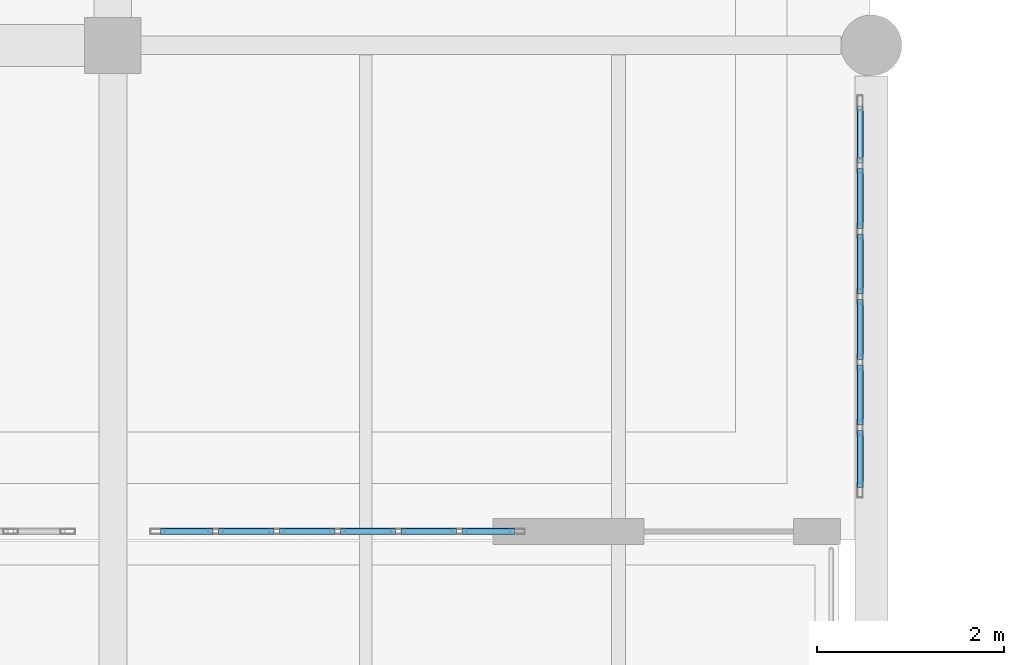
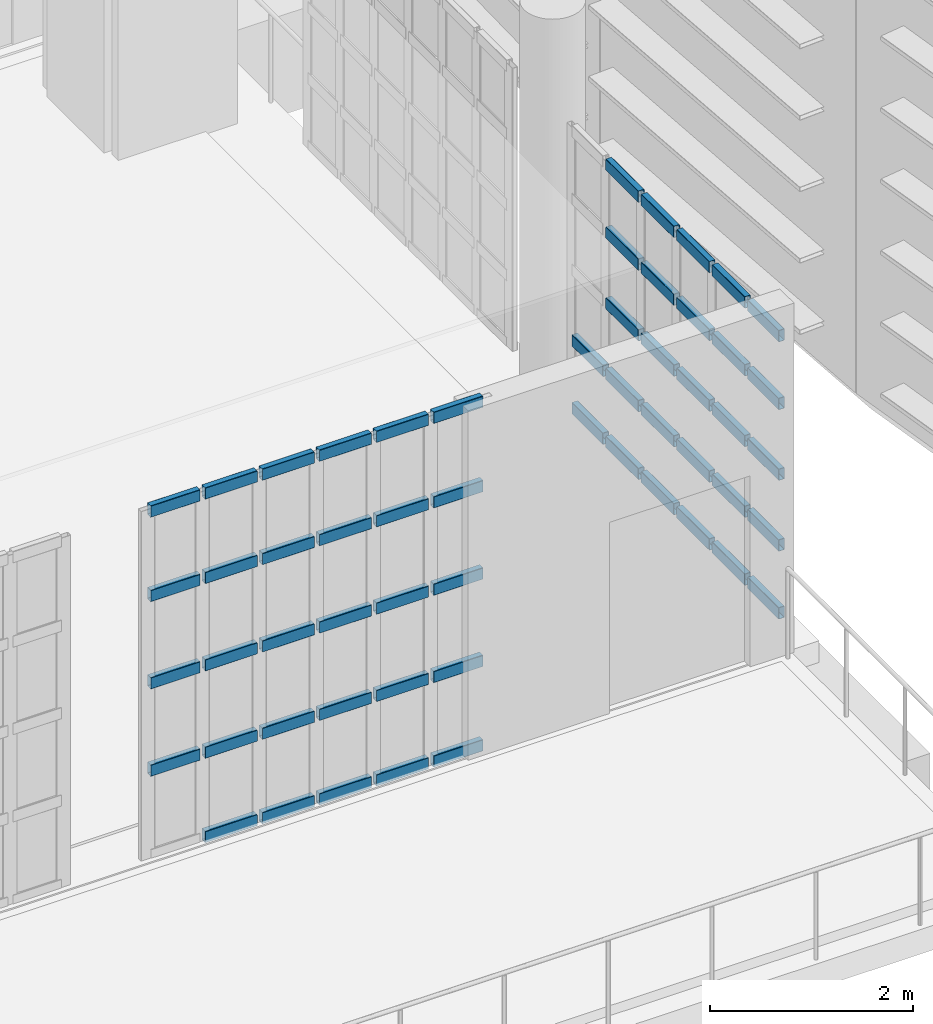
# One storey, part 36 of 73: 56 members, 2 elements without a shape of their own.
"""IFC4 building model written with IfcOpenShell, lengths in metres."""

from ifc_helpers import new_model, si_unit, direction, frame, origin, origin_2d, place, context, subcontext, project, spatial, hollow_rectangle, extrude, material, material_profile, profile_set, type_object, element, aggregate, save


model = new_model("IFC4")

# Units and contexts
model_context = context("Model", 3, precision=1e-05, world=origin(), true_north=direction((0.0, 1.0)))
body_context = subcontext(model_context, "Body", "Model", "MODEL_VIEW")
ifc_project = project(units=[si_unit("LENGTHUNIT", "METRE"), si_unit("AREAUNIT", "SQUARE_METRE"), si_unit("VOLUMEUNIT", "CUBIC_METRE"), si_unit("PLANEANGLEUNIT", "RADIAN"), si_unit("MASSUNIT", "GRAM", prefix="KILO")], contexts=[model_context])

# Site, building, storey
site_placement = place(None, origin())
site = spatial("IfcSite", under=ifc_project, at=site_placement, CompositionType="ELEMENT")
building_placement = place(site_placement, origin())
building = spatial("IfcBuilding", under=site, at=building_placement, Name="Kaelora Sail Theatre", CompositionType="ELEMENT")
storey_placement = place(building_placement, frame((0.0, 0.0, 10.199951171875)))
storey = spatial("IfcBuildingStorey", under=building, at=storey_placement, Name="L02", CompositionType="ELEMENT", Elevation=10.199951171875)

# Curtain wall, members
ifc_material_1 = material(Name="Anodised aluminium and solar-control low-E IGU", Category="aluminium")
curtain_wall_type = type_object("IfcCurtainWallType", Name="ARC-CW-CW-BRG", PredefinedType="NOTDEFINED", material=ifc_material_1)
curtain_wall_1_placement = place(storey_placement, origin())
curtain_wall_1 = element("IfcCurtainWall", 1, at=curtain_wall_1_placement, inside=storey, type_object=curtain_wall_type, Name="West Interstitial Sail Foyer Curtain Wall L02-03", PredefinedType="NOTDEFINED")
ifc_material_2 = material(Name="Anodised aluminium 6063-T6", Category="aluminium")
ifc_material_profile = material_profile(ifc_material_2, hollow_rectangle(XDim=0.070068359375, YDim=0.139892578125, WallThickness=0.00390625, InnerFilletRadius=0.00390625, OuterFilletRadius=0.008056640625, at=origin_2d()), Name="ALU-TRAN 70x140x4")
ifc_profile_set = profile_set([ifc_material_profile], Name="Anodised aluminium 6063-T6")
member_type = type_object("IfcMemberType", Name="ARC-MEM-TR-140", PredefinedType="USERDEFINED", material=ifc_profile_set)
member_1_placement = place(storey_placement, frame((66.81005859375, 48.389892578125, 1.05126953125), z_axis=(1.0, 0.0, 0.0), x_axis=(0.0, 1.0, 0.0)))
member_1 = element("IfcMember", 2, at=member_1_placement, type_object=member_type, Name="CW-BRG transom 1.2", ObjectType="TRANSOM", PredefinedType="USERDEFINED", context=body_context, shape_type="SweptSolid", body=[
    extrude(hollow_rectangle(XDim=0.070068359375, YDim=0.139892578125, WallThickness=0.00390625, InnerFilletRadius=0.00390625, OuterFilletRadius=0.008056640625, at=origin_2d()), origin(), (0.0, 0.0, 1.0), 0.56005859375),
])
member_2_placement = place(storey_placement, frame((66.81005859375, 48.389892578125, 2.1025390625), z_axis=(1.0, 0.0, 0.0), x_axis=(0.0, 1.0, 0.0)))
member_2 = element("IfcMember", 3, at=member_2_placement, type_object=member_type, Name="CW-BRG transom 1.3", ObjectType="TRANSOM", PredefinedType="USERDEFINED", context=body_context, shape_type="SweptSolid", body=[
    extrude(hollow_rectangle(XDim=0.070068359375, YDim=0.139892578125, WallThickness=0.00390625, InnerFilletRadius=0.00390625, OuterFilletRadius=0.008056640625, at=origin_2d()), origin(), (0.0, 0.0, 1.0), 0.56005859375),
])
member_3_placement = place(storey_placement, frame((66.81005859375, 48.389892578125, 3.15380859375), z_axis=(1.0, 0.0, 0.0), x_axis=(0.0, 1.0, 0.0)))
member_3 = element("IfcMember", 4, at=member_3_placement, type_object=member_type, Name="CW-BRG transom 1.4", ObjectType="TRANSOM", PredefinedType="USERDEFINED", context=body_context, shape_type="SweptSolid", body=[
    extrude(hollow_rectangle(XDim=0.070068359375, YDim=0.139892578125, WallThickness=0.00390625, InnerFilletRadius=0.00390625, OuterFilletRadius=0.008056640625, at=origin_2d()), origin(), (0.0, 0.0, 1.0), 0.56005859375),
])
member_4_placement = place(storey_placement, frame((66.81005859375, 48.389892578125, 4.170166015625), z_axis=(1.0, 0.0, 0.0), x_axis=(0.0, 1.0, 0.0)))
member_4 = element("IfcMember", 5, at=member_4_placement, type_object=member_type, Name="CW-BRG transom 1.5", ObjectType="TRANSOM", PredefinedType="USERDEFINED", context=body_context, shape_type="SweptSolid", body=[
    extrude(hollow_rectangle(XDim=0.070068359375, YDim=0.139892578125, WallThickness=0.00390625, InnerFilletRadius=0.00390625, OuterFilletRadius=0.008056640625, at=origin_2d()), origin(), (0.0, 0.0, 1.0), 0.56005859375),
])
member_5_placement = place(storey_placement, frame((67.429931640625, 48.389892578125, 0.03515625), z_axis=(1.0, 0.0, 0.0), x_axis=(0.0, 1.0, 0.0)))
member_5 = element("IfcMember", 6, at=member_5_placement, type_object=member_type, Name="CW-BRG transom 2.1", ObjectType="TRANSOM", PredefinedType="USERDEFINED", context=body_context, shape_type="SweptSolid", body=[
    extrude(hollow_rectangle(XDim=0.070068359375, YDim=0.139892578125, WallThickness=0.00390625, InnerFilletRadius=0.00390625, OuterFilletRadius=0.008056640625, at=origin_2d()), origin(), (0.0, 0.0, 1.0), 0.590087890625),
])
member_6_placement = place(storey_placement, frame((67.429931640625, 48.389892578125, 1.05126953125), z_axis=(1.0, 0.0, 0.0), x_axis=(0.0, 1.0, 0.0)))
member_6 = element("IfcMember", 7, at=member_6_placement, type_object=member_type, Name="CW-BRG transom 2.2", ObjectType="TRANSOM", PredefinedType="USERDEFINED", context=body_context, shape_type="SweptSolid", body=[
    extrude(hollow_rectangle(XDim=0.070068359375, YDim=0.139892578125, WallThickness=0.00390625, InnerFilletRadius=0.00390625, OuterFilletRadius=0.008056640625, at=origin_2d()), origin(), (0.0, 0.0, 1.0), 0.590087890625),
])
member_7_placement = place(storey_placement, frame((67.429931640625, 48.389892578125, 2.1025390625), z_axis=(1.0, 0.0, 0.0), x_axis=(0.0, 1.0, 0.0)))
member_7 = element("IfcMember", 8, at=member_7_placement, type_object=member_type, Name="CW-BRG transom 2.3", ObjectType="TRANSOM", PredefinedType="USERDEFINED", context=body_context, shape_type="SweptSolid", body=[
    extrude(hollow_rectangle(XDim=0.070068359375, YDim=0.139892578125, WallThickness=0.00390625, InnerFilletRadius=0.00390625, OuterFilletRadius=0.008056640625, at=origin_2d()), origin(), (0.0, 0.0, 1.0), 0.590087890625),
])
member_8_placement = place(storey_placement, frame((67.429931640625, 48.389892578125, 3.15380859375), z_axis=(1.0, 0.0, 0.0), x_axis=(0.0, 1.0, 0.0)))
member_8 = element("IfcMember", 9, at=member_8_placement, type_object=member_type, Name="CW-BRG transom 2.4", ObjectType="TRANSOM", PredefinedType="USERDEFINED", context=body_context, shape_type="SweptSolid", body=[
    extrude(hollow_rectangle(XDim=0.070068359375, YDim=0.139892578125, WallThickness=0.00390625, InnerFilletRadius=0.00390625, OuterFilletRadius=0.008056640625, at=origin_2d()), origin(), (0.0, 0.0, 1.0), 0.590087890625),
])
member_9_placement = place(storey_placement, frame((67.429931640625, 48.389892578125, 4.170166015625), z_axis=(1.0, 0.0, 0.0), x_axis=(0.0, 1.0, 0.0)))
member_9 = element("IfcMember", 10, at=member_9_placement, type_object=member_type, Name="CW-BRG transom 2.5", ObjectType="TRANSOM", PredefinedType="USERDEFINED", context=body_context, shape_type="SweptSolid", body=[
    extrude(hollow_rectangle(XDim=0.070068359375, YDim=0.139892578125, WallThickness=0.00390625, InnerFilletRadius=0.00390625, OuterFilletRadius=0.008056640625, at=origin_2d()), origin(), (0.0, 0.0, 1.0), 0.590087890625),
])
member_10_placement = place(storey_placement, frame((68.080078125, 48.389892578125, 0.03515625), z_axis=(1.0, 0.0, 0.0), x_axis=(0.0, 1.0, 0.0)))
member_10 = element("IfcMember", 11, at=member_10_placement, type_object=member_type, Name="CW-BRG transom 3.1", ObjectType="TRANSOM", PredefinedType="USERDEFINED", context=body_context, shape_type="SweptSolid", body=[
    extrude(hollow_rectangle(XDim=0.070068359375, YDim=0.139892578125, WallThickness=0.00390625, InnerFilletRadius=0.00390625, OuterFilletRadius=0.008056640625, at=origin_2d()), origin(), (0.0, 0.0, 1.0), 0.58984375),
])
member_11_placement = place(storey_placement, frame((68.080078125, 48.389892578125, 1.05126953125), z_axis=(1.0, 0.0, 0.0), x_axis=(0.0, 1.0, 0.0)))
member_11 = element("IfcMember", 12, at=member_11_placement, type_object=member_type, Name="CW-BRG transom 3.2", ObjectType="TRANSOM", PredefinedType="USERDEFINED", context=body_context, shape_type="SweptSolid", body=[
    extrude(hollow_rectangle(XDim=0.070068359375, YDim=0.139892578125, WallThickness=0.00390625, InnerFilletRadius=0.00390625, OuterFilletRadius=0.008056640625, at=origin_2d()), origin(), (0.0, 0.0, 1.0), 0.58984375),
])
member_12_placement = place(storey_placement, frame((68.080078125, 48.389892578125, 2.1025390625), z_axis=(1.0, 0.0, 0.0), x_axis=(0.0, 1.0, 0.0)))
member_12 = element("IfcMember", 13, at=member_12_placement, type_object=member_type, Name="CW-BRG transom 3.3", ObjectType="TRANSOM", PredefinedType="USERDEFINED", context=body_context, shape_type="SweptSolid", body=[
    extrude(hollow_rectangle(XDim=0.070068359375, YDim=0.139892578125, WallThickness=0.00390625, InnerFilletRadius=0.00390625, OuterFilletRadius=0.008056640625, at=origin_2d()), origin(), (0.0, 0.0, 1.0), 0.58984375),
])
member_13_placement = place(storey_placement, frame((68.080078125, 48.389892578125, 3.15380859375), z_axis=(1.0, 0.0, 0.0), x_axis=(0.0, 1.0, 0.0)))
member_13 = element("IfcMember", 14, at=member_13_placement, type_object=member_type, Name="CW-BRG transom 3.4", ObjectType="TRANSOM", PredefinedType="USERDEFINED", context=body_context, shape_type="SweptSolid", body=[
    extrude(hollow_rectangle(XDim=0.070068359375, YDim=0.139892578125, WallThickness=0.00390625, InnerFilletRadius=0.00390625, OuterFilletRadius=0.008056640625, at=origin_2d()), origin(), (0.0, 0.0, 1.0), 0.58984375),
])
member_14_placement = place(storey_placement, frame((68.080078125, 48.389892578125, 4.170166015625), z_axis=(1.0, 0.0, 0.0), x_axis=(0.0, 1.0, 0.0)))
member_14 = element("IfcMember", 15, at=member_14_placement, type_object=member_type, Name="CW-BRG transom 3.5", ObjectType="TRANSOM", PredefinedType="USERDEFINED", context=body_context, shape_type="SweptSolid", body=[
    extrude(hollow_rectangle(XDim=0.070068359375, YDim=0.139892578125, WallThickness=0.00390625, InnerFilletRadius=0.00390625, OuterFilletRadius=0.008056640625, at=origin_2d()), origin(), (0.0, 0.0, 1.0), 0.58984375),
])
member_15_placement = place(storey_placement, frame((68.72998046875, 48.389892578125, 0.03515625), z_axis=(1.0, 0.0, 0.0), x_axis=(0.0, 1.0, 0.0)))
member_15 = element("IfcMember", 16, at=member_15_placement, type_object=member_type, Name="CW-BRG transom 4.1", ObjectType="TRANSOM", PredefinedType="USERDEFINED", context=body_context, shape_type="SweptSolid", body=[
    extrude(hollow_rectangle(XDim=0.070068359375, YDim=0.139892578125, WallThickness=0.00390625, InnerFilletRadius=0.00390625, OuterFilletRadius=0.008056640625, at=origin_2d()), origin(), (0.0, 0.0, 1.0), 0.590087890625),
])
member_16_placement = place(storey_placement, frame((68.72998046875, 48.389892578125, 1.05126953125), z_axis=(1.0, 0.0, 0.0), x_axis=(0.0, 1.0, 0.0)))
member_16 = element("IfcMember", 17, at=member_16_placement, type_object=member_type, Name="CW-BRG transom 4.2", ObjectType="TRANSOM", PredefinedType="USERDEFINED", context=body_context, shape_type="SweptSolid", body=[
    extrude(hollow_rectangle(XDim=0.070068359375, YDim=0.139892578125, WallThickness=0.00390625, InnerFilletRadius=0.00390625, OuterFilletRadius=0.008056640625, at=origin_2d()), origin(), (0.0, 0.0, 1.0), 0.590087890625),
])
member_17_placement = place(storey_placement, frame((68.72998046875, 48.389892578125, 2.1025390625), z_axis=(1.0, 0.0, 0.0), x_axis=(0.0, 1.0, 0.0)))
member_17 = element("IfcMember", 18, at=member_17_placement, type_object=member_type, Name="CW-BRG transom 4.3", ObjectType="TRANSOM", PredefinedType="USERDEFINED", context=body_context, shape_type="SweptSolid", body=[
    extrude(hollow_rectangle(XDim=0.070068359375, YDim=0.139892578125, WallThickness=0.00390625, InnerFilletRadius=0.00390625, OuterFilletRadius=0.008056640625, at=origin_2d()), origin(), (0.0, 0.0, 1.0), 0.590087890625),
])
member_18_placement = place(storey_placement, frame((68.72998046875, 48.389892578125, 3.15380859375), z_axis=(1.0, 0.0, 0.0), x_axis=(0.0, 1.0, 0.0)))
member_18 = element("IfcMember", 19, at=member_18_placement, type_object=member_type, Name="CW-BRG transom 4.4", ObjectType="TRANSOM", PredefinedType="USERDEFINED", context=body_context, shape_type="SweptSolid", body=[
    extrude(hollow_rectangle(XDim=0.070068359375, YDim=0.139892578125, WallThickness=0.00390625, InnerFilletRadius=0.00390625, OuterFilletRadius=0.008056640625, at=origin_2d()), origin(), (0.0, 0.0, 1.0), 0.590087890625),
])
member_19_placement = place(storey_placement, frame((68.72998046875, 48.389892578125, 4.170166015625), z_axis=(1.0, 0.0, 0.0), x_axis=(0.0, 1.0, 0.0)))
member_19 = element("IfcMember", 20, at=member_19_placement, type_object=member_type, Name="CW-BRG transom 4.5", ObjectType="TRANSOM", PredefinedType="USERDEFINED", context=body_context, shape_type="SweptSolid", body=[
    extrude(hollow_rectangle(XDim=0.070068359375, YDim=0.139892578125, WallThickness=0.00390625, InnerFilletRadius=0.00390625, OuterFilletRadius=0.008056640625, at=origin_2d()), origin(), (0.0, 0.0, 1.0), 0.590087890625),
])
member_20_placement = place(storey_placement, frame((69.3798828125, 48.389892578125, 0.03515625), z_axis=(1.0, 0.0, 0.0), x_axis=(0.0, 1.0, 0.0)))
member_20 = element("IfcMember", 21, at=member_20_placement, type_object=member_type, Name="CW-BRG transom 5.1", ObjectType="TRANSOM", PredefinedType="USERDEFINED", context=body_context, shape_type="SweptSolid", body=[
    extrude(hollow_rectangle(XDim=0.070068359375, YDim=0.139892578125, WallThickness=0.00390625, InnerFilletRadius=0.00390625, OuterFilletRadius=0.008056640625, at=origin_2d()), origin(), (0.0, 0.0, 1.0), 0.590087890625),
])
member_21_placement = place(storey_placement, frame((69.3798828125, 48.389892578125, 1.05126953125), z_axis=(1.0, 0.0, 0.0), x_axis=(0.0, 1.0, 0.0)))
member_21 = element("IfcMember", 22, at=member_21_placement, type_object=member_type, Name="CW-BRG transom 5.2", ObjectType="TRANSOM", PredefinedType="USERDEFINED", context=body_context, shape_type="SweptSolid", body=[
    extrude(hollow_rectangle(XDim=0.070068359375, YDim=0.139892578125, WallThickness=0.00390625, InnerFilletRadius=0.00390625, OuterFilletRadius=0.008056640625, at=origin_2d()), origin(), (0.0, 0.0, 1.0), 0.590087890625),
])
member_22_placement = place(storey_placement, frame((69.3798828125, 48.389892578125, 2.1025390625), z_axis=(1.0, 0.0, 0.0), x_axis=(0.0, 1.0, 0.0)))
member_22 = element("IfcMember", 23, at=member_22_placement, type_object=member_type, Name="CW-BRG transom 5.3", ObjectType="TRANSOM", PredefinedType="USERDEFINED", context=body_context, shape_type="SweptSolid", body=[
    extrude(hollow_rectangle(XDim=0.070068359375, YDim=0.139892578125, WallThickness=0.00390625, InnerFilletRadius=0.00390625, OuterFilletRadius=0.008056640625, at=origin_2d()), origin(), (0.0, 0.0, 1.0), 0.590087890625),
])
member_23_placement = place(storey_placement, frame((69.3798828125, 48.389892578125, 3.15380859375), z_axis=(1.0, 0.0, 0.0), x_axis=(0.0, 1.0, 0.0)))
member_23 = element("IfcMember", 24, at=member_23_placement, type_object=member_type, Name="CW-BRG transom 5.4", ObjectType="TRANSOM", PredefinedType="USERDEFINED", context=body_context, shape_type="SweptSolid", body=[
    extrude(hollow_rectangle(XDim=0.070068359375, YDim=0.139892578125, WallThickness=0.00390625, InnerFilletRadius=0.00390625, OuterFilletRadius=0.008056640625, at=origin_2d()), origin(), (0.0, 0.0, 1.0), 0.590087890625),
])
member_24_placement = place(storey_placement, frame((69.3798828125, 48.389892578125, 4.170166015625), z_axis=(1.0, 0.0, 0.0), x_axis=(0.0, 1.0, 0.0)))
member_24 = element("IfcMember", 25, at=member_24_placement, type_object=member_type, Name="CW-BRG transom 5.5", ObjectType="TRANSOM", PredefinedType="USERDEFINED", context=body_context, shape_type="SweptSolid", body=[
    extrude(hollow_rectangle(XDim=0.070068359375, YDim=0.139892578125, WallThickness=0.00390625, InnerFilletRadius=0.00390625, OuterFilletRadius=0.008056640625, at=origin_2d()), origin(), (0.0, 0.0, 1.0), 0.590087890625),
])
member_25_placement = place(storey_placement, frame((70.030029296875, 48.389892578125, 0.03515625), z_axis=(1.0, 0.0, 0.0), x_axis=(0.0, 1.0, 0.0)))
member_25 = element("IfcMember", 26, at=member_25_placement, type_object=member_type, Name="CW-BRG transom 6.1", ObjectType="TRANSOM", PredefinedType="USERDEFINED", context=body_context, shape_type="SweptSolid", body=[
    extrude(hollow_rectangle(XDim=0.070068359375, YDim=0.139892578125, WallThickness=0.00390625, InnerFilletRadius=0.00390625, OuterFilletRadius=0.008056640625, at=origin_2d()), origin(), (0.0, 0.0, 1.0), 0.56005859375),
])
member_26_placement = place(storey_placement, frame((70.030029296875, 48.389892578125, 1.05126953125), z_axis=(1.0, 0.0, 0.0), x_axis=(0.0, 1.0, 0.0)))
member_26 = element("IfcMember", 27, at=member_26_placement, type_object=member_type, Name="CW-BRG transom 6.2", ObjectType="TRANSOM", PredefinedType="USERDEFINED", context=body_context, shape_type="SweptSolid", body=[
    extrude(hollow_rectangle(XDim=0.070068359375, YDim=0.139892578125, WallThickness=0.00390625, InnerFilletRadius=0.00390625, OuterFilletRadius=0.008056640625, at=origin_2d()), origin(), (0.0, 0.0, 1.0), 0.56005859375),
])
member_27_placement = place(storey_placement, frame((70.030029296875, 48.389892578125, 2.1025390625), z_axis=(1.0, 0.0, 0.0), x_axis=(0.0, 1.0, 0.0)))
member_27 = element("IfcMember", 28, at=member_27_placement, type_object=member_type, Name="CW-BRG transom 6.3", ObjectType="TRANSOM", PredefinedType="USERDEFINED", context=body_context, shape_type="SweptSolid", body=[
    extrude(hollow_rectangle(XDim=0.070068359375, YDim=0.139892578125, WallThickness=0.00390625, InnerFilletRadius=0.00390625, OuterFilletRadius=0.008056640625, at=origin_2d()), origin(), (0.0, 0.0, 1.0), 0.56005859375),
])
member_28_placement = place(storey_placement, frame((70.030029296875, 48.389892578125, 3.15380859375), z_axis=(1.0, 0.0, 0.0), x_axis=(0.0, 1.0, 0.0)))
member_28 = element("IfcMember", 29, at=member_28_placement, type_object=member_type, Name="CW-BRG transom 6.4", ObjectType="TRANSOM", PredefinedType="USERDEFINED", context=body_context, shape_type="SweptSolid", body=[
    extrude(hollow_rectangle(XDim=0.070068359375, YDim=0.139892578125, WallThickness=0.00390625, InnerFilletRadius=0.00390625, OuterFilletRadius=0.008056640625, at=origin_2d()), origin(), (0.0, 0.0, 1.0), 0.56005859375),
])
member_29_placement = place(storey_placement, frame((70.030029296875, 48.389892578125, 4.170166015625), z_axis=(1.0, 0.0, 0.0), x_axis=(0.0, 1.0, 0.0)))
member_29 = element("IfcMember", 30, at=member_29_placement, type_object=member_type, Name="CW-BRG transom 6.5", ObjectType="TRANSOM", PredefinedType="USERDEFINED", context=body_context, shape_type="SweptSolid", body=[
    extrude(hollow_rectangle(XDim=0.070068359375, YDim=0.139892578125, WallThickness=0.00390625, InnerFilletRadius=0.00390625, OuterFilletRadius=0.008056640625, at=origin_2d()), origin(), (0.0, 0.0, 1.0), 0.56005859375),
])
aggregate(curtain_wall_1, [member_1, member_2, member_3, member_4, member_5, member_6, member_7, member_8, member_9, member_10, member_11, member_12, member_13, member_14, member_15, member_16, member_17, member_18, member_19, member_20, member_21, member_22, member_23, member_24, member_25, member_26, member_27, member_28, member_29])

curtain_wall_2_placement = place(storey_placement, origin())
curtain_wall_2 = element("IfcCurtainWall", 31, at=curtain_wall_2_placement, inside=storey, type_object=curtain_wall_type, Name="West Interstitial Foyer East Glazed Return L02-01", PredefinedType="NOTDEFINED")
member_30_placement = place(storey_placement, frame((74.280029296875, 48.860107421875, 0.03515625), z_axis=(0.0, 1.0, 0.0), x_axis=(-1.0, 0.0, 0.0)))
member_30 = element("IfcMember", 32, at=member_30_placement, type_object=member_type, Name="CW-BRG transom 1.1", ObjectType="TRANSOM", PredefinedType="USERDEFINED", context=body_context, shape_type="SweptSolid", body=[
    extrude(hollow_rectangle(XDim=0.070068359375, YDim=0.139892578125, WallThickness=0.00390625, InnerFilletRadius=0.00390625, OuterFilletRadius=0.008056640625, at=origin_2d()), origin(), (0.0, 0.0, 1.0), 0.609130859375),
])
member_31_placement = place(storey_placement, frame((74.280029296875, 48.860107421875, 0.851806640625), z_axis=(0.0, 1.0, 0.0), x_axis=(-1.0, 0.0, 0.0)))
member_31 = element("IfcMember", 33, at=member_31_placement, type_object=member_type, Name="CW-BRG transom 1.2", ObjectType="TRANSOM", PredefinedType="USERDEFINED", context=body_context, shape_type="SweptSolid", body=[
    extrude(hollow_rectangle(XDim=0.070068359375, YDim=0.139892578125, WallThickness=0.00390625, InnerFilletRadius=0.00390625, OuterFilletRadius=0.008056640625, at=origin_2d()), origin(), (0.0, 0.0, 1.0), 0.609130859375),
])
member_32_placement = place(storey_placement, frame((74.280029296875, 48.860107421875, 1.70361328125), z_axis=(0.0, 1.0, 0.0), x_axis=(-1.0, 0.0, 0.0)))
member_32 = element("IfcMember", 34, at=member_32_placement, type_object=member_type, Name="CW-BRG transom 1.3", ObjectType="TRANSOM", PredefinedType="USERDEFINED", context=body_context, shape_type="SweptSolid", body=[
    extrude(hollow_rectangle(XDim=0.070068359375, YDim=0.139892578125, WallThickness=0.00390625, InnerFilletRadius=0.00390625, OuterFilletRadius=0.008056640625, at=origin_2d()), origin(), (0.0, 0.0, 1.0), 0.609130859375),
])
member_33_placement = place(storey_placement, frame((74.280029296875, 48.860107421875, 2.555419921875), z_axis=(0.0, 1.0, 0.0), x_axis=(-1.0, 0.0, 0.0)))
member_33 = element("IfcMember", 35, at=member_33_placement, type_object=member_type, Name="CW-BRG transom 1.4", ObjectType="TRANSOM", PredefinedType="USERDEFINED", context=body_context, shape_type="SweptSolid", body=[
    extrude(hollow_rectangle(XDim=0.070068359375, YDim=0.139892578125, WallThickness=0.00390625, InnerFilletRadius=0.00390625, OuterFilletRadius=0.008056640625, at=origin_2d()), origin(), (0.0, 0.0, 1.0), 0.609130859375),
])
member_34_placement = place(storey_placement, frame((74.280029296875, 48.860107421875, 3.3720703125), z_axis=(0.0, 1.0, 0.0), x_axis=(-1.0, 0.0, 0.0)))
member_34 = element("IfcMember", 36, at=member_34_placement, type_object=member_type, Name="CW-BRG transom 1.5", ObjectType="TRANSOM", PredefinedType="USERDEFINED", context=body_context, shape_type="SweptSolid", body=[
    extrude(hollow_rectangle(XDim=0.070068359375, YDim=0.139892578125, WallThickness=0.00390625, InnerFilletRadius=0.00390625, OuterFilletRadius=0.008056640625, at=origin_2d()), origin(), (0.0, 0.0, 1.0), 0.609130859375),
])
member_35_placement = place(storey_placement, frame((74.280029296875, 49.529052734375, 0.03515625), z_axis=(0.0, 1.0, 0.0), x_axis=(-1.0, 0.0, 0.0)))
member_35 = element("IfcMember", 37, at=member_35_placement, type_object=member_type, Name="CW-BRG transom 2.1", ObjectType="TRANSOM", PredefinedType="USERDEFINED", context=body_context, shape_type="SweptSolid", body=[
    extrude(hollow_rectangle(XDim=0.070068359375, YDim=0.139892578125, WallThickness=0.00390625, InnerFilletRadius=0.00390625, OuterFilletRadius=0.008056640625, at=origin_2d()), origin(), (0.0, 0.0, 1.0), 0.63916015625),
])
member_36_placement = place(storey_placement, frame((74.280029296875, 49.529052734375, 0.851806640625), z_axis=(0.0, 1.0, 0.0), x_axis=(-1.0, 0.0, 0.0)))
member_36 = element("IfcMember", 38, at=member_36_placement, type_object=member_type, Name="CW-BRG transom 2.2", ObjectType="TRANSOM", PredefinedType="USERDEFINED", context=body_context, shape_type="SweptSolid", body=[
    extrude(hollow_rectangle(XDim=0.070068359375, YDim=0.139892578125, WallThickness=0.00390625, InnerFilletRadius=0.00390625, OuterFilletRadius=0.008056640625, at=origin_2d()), origin(), (0.0, 0.0, 1.0), 0.63916015625),
])
member_37_placement = place(storey_placement, frame((74.280029296875, 49.529052734375, 1.70361328125), z_axis=(0.0, 1.0, 0.0), x_axis=(-1.0, 0.0, 0.0)))
member_37 = element("IfcMember", 39, at=member_37_placement, type_object=member_type, Name="CW-BRG transom 2.3", ObjectType="TRANSOM", PredefinedType="USERDEFINED", context=body_context, shape_type="SweptSolid", body=[
    extrude(hollow_rectangle(XDim=0.070068359375, YDim=0.139892578125, WallThickness=0.00390625, InnerFilletRadius=0.00390625, OuterFilletRadius=0.008056640625, at=origin_2d()), origin(), (0.0, 0.0, 1.0), 0.63916015625),
])
member_38_placement = place(storey_placement, frame((74.280029296875, 49.529052734375, 2.555419921875), z_axis=(0.0, 1.0, 0.0), x_axis=(-1.0, 0.0, 0.0)))
member_38 = element("IfcMember", 40, at=member_38_placement, type_object=member_type, Name="CW-BRG transom 2.4", ObjectType="TRANSOM", PredefinedType="USERDEFINED", context=body_context, shape_type="SweptSolid", body=[
    extrude(hollow_rectangle(XDim=0.070068359375, YDim=0.139892578125, WallThickness=0.00390625, InnerFilletRadius=0.00390625, OuterFilletRadius=0.008056640625, at=origin_2d()), origin(), (0.0, 0.0, 1.0), 0.63916015625),
])
member_39_placement = place(storey_placement, frame((74.280029296875, 49.529052734375, 3.3720703125), z_axis=(0.0, 1.0, 0.0), x_axis=(-1.0, 0.0, 0.0)))
member_39 = element("IfcMember", 41, at=member_39_placement, type_object=member_type, Name="CW-BRG transom 2.5", ObjectType="TRANSOM", PredefinedType="USERDEFINED", context=body_context, shape_type="SweptSolid", body=[
    extrude(hollow_rectangle(XDim=0.070068359375, YDim=0.139892578125, WallThickness=0.00390625, InnerFilletRadius=0.00390625, OuterFilletRadius=0.008056640625, at=origin_2d()), origin(), (0.0, 0.0, 1.0), 0.63916015625),
])
member_40_placement = place(storey_placement, frame((74.280029296875, 50.228271484375, 0.03515625), z_axis=(0.0, 1.0, 0.0), x_axis=(-1.0, 0.0, 0.0)))
member_40 = element("IfcMember", 42, at=member_40_placement, type_object=member_type, Name="CW-BRG transom 3.1", ObjectType="TRANSOM", PredefinedType="USERDEFINED", context=body_context, shape_type="SweptSolid", body=[
    extrude(hollow_rectangle(XDim=0.070068359375, YDim=0.139892578125, WallThickness=0.00390625, InnerFilletRadius=0.00390625, OuterFilletRadius=0.008056640625, at=origin_2d()), origin(), (0.0, 0.0, 1.0), 0.63916015625),
])
member_41_placement = place(storey_placement, frame((74.280029296875, 50.228271484375, 0.851806640625), z_axis=(0.0, 1.0, 0.0), x_axis=(-1.0, 0.0, 0.0)))
member_41 = element("IfcMember", 43, at=member_41_placement, type_object=member_type, Name="CW-BRG transom 3.2", ObjectType="TRANSOM", PredefinedType="USERDEFINED", context=body_context, shape_type="SweptSolid", body=[
    extrude(hollow_rectangle(XDim=0.070068359375, YDim=0.139892578125, WallThickness=0.00390625, InnerFilletRadius=0.00390625, OuterFilletRadius=0.008056640625, at=origin_2d()), origin(), (0.0, 0.0, 1.0), 0.63916015625),
])
member_42_placement = place(storey_placement, frame((74.280029296875, 50.228271484375, 1.70361328125), z_axis=(0.0, 1.0, 0.0), x_axis=(-1.0, 0.0, 0.0)))
member_42 = element("IfcMember", 44, at=member_42_placement, type_object=member_type, Name="CW-BRG transom 3.3", ObjectType="TRANSOM", PredefinedType="USERDEFINED", context=body_context, shape_type="SweptSolid", body=[
    extrude(hollow_rectangle(XDim=0.070068359375, YDim=0.139892578125, WallThickness=0.00390625, InnerFilletRadius=0.00390625, OuterFilletRadius=0.008056640625, at=origin_2d()), origin(), (0.0, 0.0, 1.0), 0.63916015625),
])
member_43_placement = place(storey_placement, frame((74.280029296875, 50.228271484375, 2.555419921875), z_axis=(0.0, 1.0, 0.0), x_axis=(-1.0, 0.0, 0.0)))
member_43 = element("IfcMember", 45, at=member_43_placement, type_object=member_type, Name="CW-BRG transom 3.4", ObjectType="TRANSOM", PredefinedType="USERDEFINED", context=body_context, shape_type="SweptSolid", body=[
    extrude(hollow_rectangle(XDim=0.070068359375, YDim=0.139892578125, WallThickness=0.00390625, InnerFilletRadius=0.00390625, OuterFilletRadius=0.008056640625, at=origin_2d()), origin(), (0.0, 0.0, 1.0), 0.63916015625),
])
member_44_placement = place(storey_placement, frame((74.280029296875, 50.228271484375, 3.3720703125), z_axis=(0.0, 1.0, 0.0), x_axis=(-1.0, 0.0, 0.0)))
member_44 = element("IfcMember", 46, at=member_44_placement, type_object=member_type, Name="CW-BRG transom 3.5", ObjectType="TRANSOM", PredefinedType="USERDEFINED", context=body_context, shape_type="SweptSolid", body=[
    extrude(hollow_rectangle(XDim=0.070068359375, YDim=0.139892578125, WallThickness=0.00390625, InnerFilletRadius=0.00390625, OuterFilletRadius=0.008056640625, at=origin_2d()), origin(), (0.0, 0.0, 1.0), 0.63916015625),
])
member_45_placement = place(storey_placement, frame((74.280029296875, 50.927490234375, 0.03515625), z_axis=(0.0, 1.0, 0.0), x_axis=(-1.0, 0.0, 0.0)))
member_45 = element("IfcMember", 47, at=member_45_placement, type_object=member_type, Name="CW-BRG transom 4.1", ObjectType="TRANSOM", PredefinedType="USERDEFINED", context=body_context, shape_type="SweptSolid", body=[
    extrude(hollow_rectangle(XDim=0.070068359375, YDim=0.139892578125, WallThickness=0.00390625, InnerFilletRadius=0.00390625, OuterFilletRadius=0.008056640625, at=origin_2d()), origin(), (0.0, 0.0, 1.0), 0.63916015625),
])
member_46_placement = place(storey_placement, frame((74.280029296875, 50.927490234375, 0.851806640625), z_axis=(0.0, 1.0, 0.0), x_axis=(-1.0, 0.0, 0.0)))
member_46 = element("IfcMember", 48, at=member_46_placement, type_object=member_type, Name="CW-BRG transom 4.2", ObjectType="TRANSOM", PredefinedType="USERDEFINED", context=body_context, shape_type="SweptSolid", body=[
    extrude(hollow_rectangle(XDim=0.070068359375, YDim=0.139892578125, WallThickness=0.00390625, InnerFilletRadius=0.00390625, OuterFilletRadius=0.008056640625, at=origin_2d()), origin(), (0.0, 0.0, 1.0), 0.63916015625),
])
member_47_placement = place(storey_placement, frame((74.280029296875, 50.927490234375, 1.70361328125), z_axis=(0.0, 1.0, 0.0), x_axis=(-1.0, 0.0, 0.0)))
member_47 = element("IfcMember", 49, at=member_47_placement, type_object=member_type, Name="CW-BRG transom 4.3", ObjectType="TRANSOM", PredefinedType="USERDEFINED", context=body_context, shape_type="SweptSolid", body=[
    extrude(hollow_rectangle(XDim=0.070068359375, YDim=0.139892578125, WallThickness=0.00390625, InnerFilletRadius=0.00390625, OuterFilletRadius=0.008056640625, at=origin_2d()), origin(), (0.0, 0.0, 1.0), 0.63916015625),
])
member_48_placement = place(storey_placement, frame((74.280029296875, 50.927490234375, 2.555419921875), z_axis=(0.0, 1.0, 0.0), x_axis=(-1.0, 0.0, 0.0)))
member_48 = element("IfcMember", 50, at=member_48_placement, type_object=member_type, Name="CW-BRG transom 4.4", ObjectType="TRANSOM", PredefinedType="USERDEFINED", context=body_context, shape_type="SweptSolid", body=[
    extrude(hollow_rectangle(XDim=0.070068359375, YDim=0.139892578125, WallThickness=0.00390625, InnerFilletRadius=0.00390625, OuterFilletRadius=0.008056640625, at=origin_2d()), origin(), (0.0, 0.0, 1.0), 0.63916015625),
])
member_49_placement = place(storey_placement, frame((74.280029296875, 50.927490234375, 3.3720703125), z_axis=(0.0, 1.0, 0.0), x_axis=(-1.0, 0.0, 0.0)))
member_49 = element("IfcMember", 51, at=member_49_placement, type_object=member_type, Name="CW-BRG transom 4.5", ObjectType="TRANSOM", PredefinedType="USERDEFINED", context=body_context, shape_type="SweptSolid", body=[
    extrude(hollow_rectangle(XDim=0.070068359375, YDim=0.139892578125, WallThickness=0.00390625, InnerFilletRadius=0.00390625, OuterFilletRadius=0.008056640625, at=origin_2d()), origin(), (0.0, 0.0, 1.0), 0.63916015625),
])
member_50_placement = place(storey_placement, frame((74.280029296875, 51.626708984375, 0.03515625), z_axis=(0.0, 1.0, 0.0), x_axis=(-1.0, 0.0, 0.0)))
member_50 = element("IfcMember", 52, at=member_50_placement, type_object=member_type, Name="CW-BRG transom 5.1", ObjectType="TRANSOM", PredefinedType="USERDEFINED", context=body_context, shape_type="SweptSolid", body=[
    extrude(hollow_rectangle(XDim=0.070068359375, YDim=0.139892578125, WallThickness=0.00390625, InnerFilletRadius=0.00390625, OuterFilletRadius=0.008056640625, at=origin_2d()), origin(), (0.0, 0.0, 1.0), 0.63916015625),
])
member_51_placement = place(storey_placement, frame((74.280029296875, 51.626708984375, 0.851806640625), z_axis=(0.0, 1.0, 0.0), x_axis=(-1.0, 0.0, 0.0)))
member_51 = element("IfcMember", 53, at=member_51_placement, type_object=member_type, Name="CW-BRG transom 5.2", ObjectType="TRANSOM", PredefinedType="USERDEFINED", context=body_context, shape_type="SweptSolid", body=[
    extrude(hollow_rectangle(XDim=0.070068359375, YDim=0.139892578125, WallThickness=0.00390625, InnerFilletRadius=0.00390625, OuterFilletRadius=0.008056640625, at=origin_2d()), origin(), (0.0, 0.0, 1.0), 0.63916015625),
])
member_52_placement = place(storey_placement, frame((74.280029296875, 51.626708984375, 1.70361328125), z_axis=(0.0, 1.0, 0.0), x_axis=(-1.0, 0.0, 0.0)))
member_52 = element("IfcMember", 54, at=member_52_placement, type_object=member_type, Name="CW-BRG transom 5.3", ObjectType="TRANSOM", PredefinedType="USERDEFINED", context=body_context, shape_type="SweptSolid", body=[
    extrude(hollow_rectangle(XDim=0.070068359375, YDim=0.139892578125, WallThickness=0.00390625, InnerFilletRadius=0.00390625, OuterFilletRadius=0.008056640625, at=origin_2d()), origin(), (0.0, 0.0, 1.0), 0.63916015625),
])
member_53_placement = place(storey_placement, frame((74.280029296875, 51.626708984375, 2.555419921875), z_axis=(0.0, 1.0, 0.0), x_axis=(-1.0, 0.0, 0.0)))
member_53 = element("IfcMember", 55, at=member_53_placement, type_object=member_type, Name="CW-BRG transom 5.4", ObjectType="TRANSOM", PredefinedType="USERDEFINED", context=body_context, shape_type="SweptSolid", body=[
    extrude(hollow_rectangle(XDim=0.070068359375, YDim=0.139892578125, WallThickness=0.00390625, InnerFilletRadius=0.00390625, OuterFilletRadius=0.008056640625, at=origin_2d()), origin(), (0.0, 0.0, 1.0), 0.63916015625),
])
member_54_placement = place(storey_placement, frame((74.280029296875, 51.626708984375, 3.3720703125), z_axis=(0.0, 1.0, 0.0), x_axis=(-1.0, 0.0, 0.0)))
member_54 = element("IfcMember", 56, at=member_54_placement, type_object=member_type, Name="CW-BRG transom 5.5", ObjectType="TRANSOM", PredefinedType="USERDEFINED", context=body_context, shape_type="SweptSolid", body=[
    extrude(hollow_rectangle(XDim=0.070068359375, YDim=0.139892578125, WallThickness=0.00390625, InnerFilletRadius=0.00390625, OuterFilletRadius=0.008056640625, at=origin_2d()), origin(), (0.0, 0.0, 1.0), 0.63916015625),
])
member_55_placement = place(storey_placement, frame((74.280029296875, 52.325927734375, 0.03515625), z_axis=(0.0, 1.0, 0.0), x_axis=(-1.0, 0.0, 0.0)))
member_55 = element("IfcMember", 57, at=member_55_placement, type_object=member_type, Name="CW-BRG transom 6.1", ObjectType="TRANSOM", PredefinedType="USERDEFINED", context=body_context, shape_type="SweptSolid", body=[
    extrude(hollow_rectangle(XDim=0.070068359375, YDim=0.139892578125, WallThickness=0.00390625, InnerFilletRadius=0.00390625, OuterFilletRadius=0.008056640625, at=origin_2d()), origin(), (0.0, 0.0, 1.0), 0.609130859375),
])
member_56_placement = place(storey_placement, frame((74.280029296875, 52.325927734375, 0.851806640625), z_axis=(0.0, 1.0, 0.0), x_axis=(-1.0, 0.0, 0.0)))
member_56 = element("IfcMember", 58, at=member_56_placement, type_object=member_type, Name="CW-BRG transom 6.2", ObjectType="TRANSOM", PredefinedType="USERDEFINED", context=body_context, shape_type="SweptSolid", body=[
    extrude(hollow_rectangle(XDim=0.070068359375, YDim=0.139892578125, WallThickness=0.00390625, InnerFilletRadius=0.00390625, OuterFilletRadius=0.008056640625, at=origin_2d()), origin(), (0.0, 0.0, 1.0), 0.609130859375),
])
aggregate(curtain_wall_2, [member_30, member_31, member_32, member_33, member_34, member_35, member_36, member_37, member_38, member_39, member_40, member_41, member_42, member_43, member_44, member_45, member_46, member_47, member_48, member_49, member_50, member_51, member_52, member_53, member_54, member_55, member_56])

save(model, "model.ifc")
